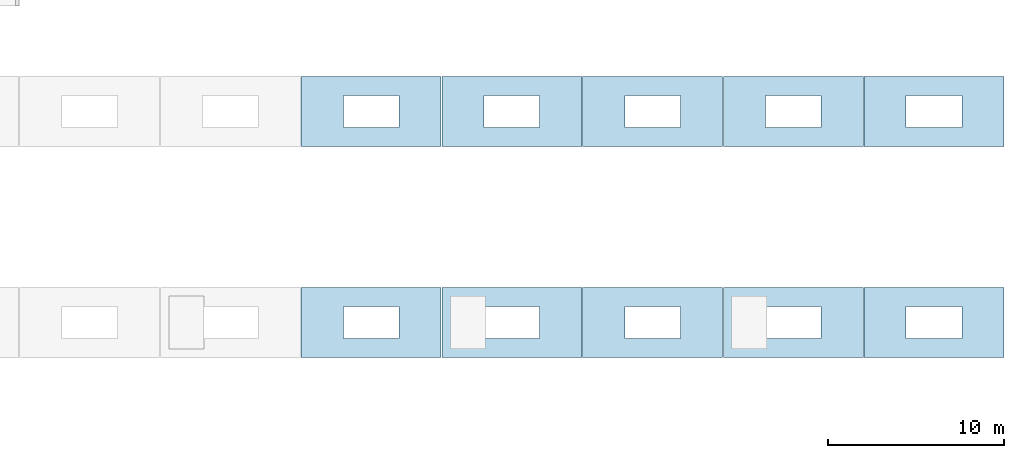
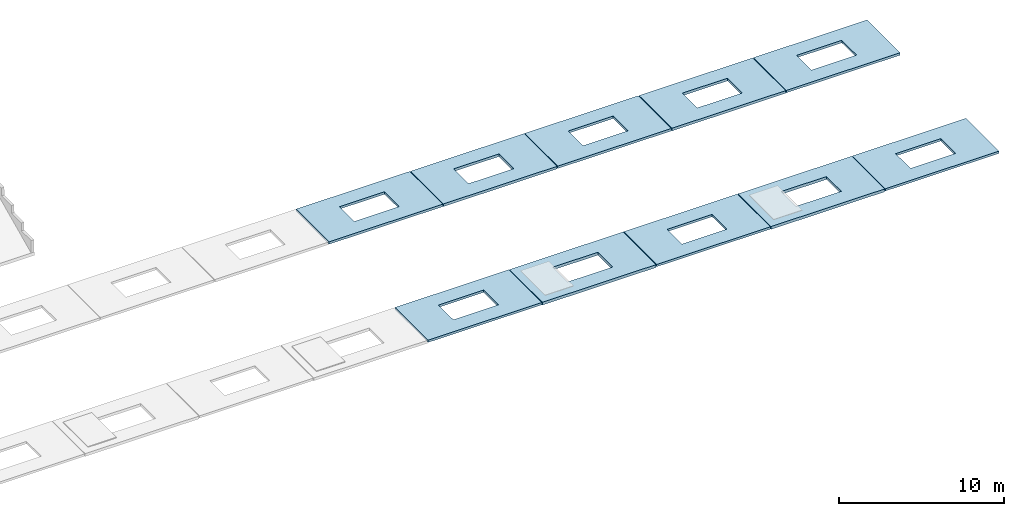
# One storey, part 4 of 9: 10 slabs.
"""IFC4 building model written with IfcOpenShell, lengths in metres."""

from ifc_helpers import new_model, si_unit, direction, frame, origin, place, context, subcontext, project, spatial, polyline, outline, extrude, material, layer, layer_set, type_object, element, save


model = new_model("IFC4")

# Units and contexts
model_context = context("Model", 3, precision=1e-05, world=origin(), true_north=direction((0.0, 1.0)))
body_context = subcontext(model_context, "Body", "Model", "MODEL_VIEW")
ifc_project = project(units=[si_unit("LENGTHUNIT", "METRE"), si_unit("AREAUNIT", "SQUARE_METRE"), si_unit("VOLUMEUNIT", "CUBIC_METRE"), si_unit("PLANEANGLEUNIT", "RADIAN"), si_unit("MASSUNIT", "GRAM", prefix="KILO")], contexts=[model_context])

# Site, building, storey
site_placement = place(None, origin())
site = spatial("IfcSite", under=ifc_project, at=site_placement, CompositionType="ELEMENT")
building_placement = place(site_placement, origin())
building = spatial("IfcBuilding", under=site, at=building_placement, Name="Serraluz Foothill Cableway Terminal", CompositionType="ELEMENT")
storey_placement = place(building_placement, frame((0.0, 0.0, 19.800048828125)))
storey = spatial("IfcBuildingStorey", under=building, at=storey_placement, Name="L04", CompositionType="ELEMENT", Elevation=19.800048828125)

# Slabs
ifc_material = material(Name="Precast concrete C40/50", Category="concrete")
ifc_layer_1 = layer(ifc_material, 0.169921875, Name="Precast concrete C40/50", Category="concrete")
ifc_layer_set_1 = layer_set([ifc_layer_1], Name="Precast concrete C40/50")
slab_type_1 = type_object("IfcSlabType", Name="TYP-SLB-ROOF-170", PredefinedType="ROOF", material=ifc_layer_set_1)
slab_1_placement = place(storey_placement, frame((0.0, 0.0, -0.170166015625)))
element("IfcSlab", 1, at=slab_1_placement, inside=storey, type_object=slab_type_1, Name="Precast Eaves Gallery Deck SLB-EAVE-19", PredefinedType="ROOF", context=body_context, shape_type="SweptSolid", body=[
    extrude(outline(polyline([(112.02001953125, 56.0), (119.97998046875, 56.0), (119.97998046875, 60.0), (112.02001953125, 60.0), (112.02001953125, 56.0)]), holes=[polyline([(114.419921875, 57.10009765625), (117.580078125, 57.10009765625), (117.580078125, 58.89990234375), (114.419921875, 58.89990234375), (114.419921875, 57.10009765625)])]), origin(), (0.0, 0.0, 1.0), 0.170166015625),
])
slab_2_placement = place(storey_placement, frame((0.0, 0.0, -0.170166015625)))
element("IfcSlab", 2, at=slab_2_placement, inside=storey, type_object=slab_type_1, Name="Precast Eaves Gallery Deck SLB-EAVE-23", PredefinedType="ROOF", context=body_context, shape_type="SweptSolid", body=[
    extrude(outline(polyline([(128.02001953125, 56.0), (135.97998046875, 56.0), (135.97998046875, 60.0), (128.02001953125, 60.0), (128.02001953125, 56.0)]), holes=[polyline([(130.419921875, 57.10009765625), (133.580078125, 57.10009765625), (133.580078125, 58.89990234375), (130.419921875, 58.89990234375), (130.419921875, 57.10009765625)])]), origin(), (0.0, 0.0, 1.0), 0.170166015625),
])
slab_3_placement = place(storey_placement, frame((0.0, 0.0, -0.170166015625)))
element("IfcSlab", 3, at=slab_3_placement, inside=storey, type_object=slab_type_1, Name="Precast Eaves Gallery Deck SLB-EAVE-27", PredefinedType="ROOF", context=body_context, shape_type="SweptSolid", body=[
    extrude(outline(polyline([(144.02001953125, 56.0), (151.97998046875, 56.0), (151.97998046875, 60.0), (144.02001953125, 60.0), (144.02001953125, 56.0)]), holes=[polyline([(146.419921875, 57.10009765625), (149.580078125, 57.10009765625), (149.580078125, 58.89990234375), (146.419921875, 58.89990234375), (146.419921875, 57.10009765625)])]), origin(), (0.0, 0.0, 1.0), 0.170166015625),
])
ifc_layer_2 = layer(ifc_material, 0.179931640625, Name="Precast concrete C40/50", Category="concrete")
ifc_layer_set_2 = layer_set([ifc_layer_2], Name="Precast concrete C40/50")
slab_type_2 = type_object("IfcSlabType", Name="TYP-SLB-ROOF-180", PredefinedType="ROOF", material=ifc_layer_set_2)
slab_4_placement = place(storey_placement, frame((0.0, 0.0, -0.179931640625)))
element("IfcSlab", 4, at=slab_4_placement, inside=storey, type_object=slab_type_2, Name="Precast Eaves Gallery Deck SLB-EAVE-20", PredefinedType="ROOF", context=body_context, shape_type="SweptSolid", body=[
    extrude(outline(polyline([(112.02001953125, 68.0), (119.97998046875, 68.0), (119.97998046875, 72.0), (112.02001953125, 72.0), (112.02001953125, 68.0)]), holes=[polyline([(114.419921875, 69.10009765625), (117.580078125, 69.10009765625), (117.580078125, 70.89990234375), (114.419921875, 70.89990234375), (114.419921875, 69.10009765625)])]), origin(), (0.0, 0.0, 1.0), 0.179931640625),
])
slab_5_placement = place(storey_placement, frame((0.0, 0.0, -0.179931640625)))
element("IfcSlab", 5, at=slab_5_placement, inside=storey, type_object=slab_type_2, Name="Precast Eaves Gallery Deck SLB-EAVE-24", PredefinedType="ROOF", context=body_context, shape_type="SweptSolid", body=[
    extrude(outline(polyline([(128.02001953125, 68.0), (135.97998046875, 68.0), (135.97998046875, 72.0), (128.02001953125, 72.0), (128.02001953125, 68.0)]), holes=[polyline([(130.419921875, 69.10009765625), (133.580078125, 69.10009765625), (133.580078125, 70.89990234375), (130.419921875, 70.89990234375), (130.419921875, 69.10009765625)])]), origin(), (0.0, 0.0, 1.0), 0.179931640625),
])
slab_6_placement = place(storey_placement, frame((0.0, 0.0, -0.179931640625)))
element("IfcSlab", 6, at=slab_6_placement, inside=storey, type_object=slab_type_2, Name="Precast Eaves Gallery Deck SLB-EAVE-28", PredefinedType="ROOF", context=body_context, shape_type="SweptSolid", body=[
    extrude(outline(polyline([(144.02001953125, 68.0), (151.97998046875, 68.0), (151.97998046875, 72.0), (144.02001953125, 72.0), (144.02001953125, 68.0)]), holes=[polyline([(146.419921875, 69.10009765625), (149.580078125, 69.10009765625), (149.580078125, 70.89990234375), (146.419921875, 70.89990234375), (146.419921875, 69.10009765625)])]), origin(), (0.0, 0.0, 1.0), 0.179931640625),
])
ifc_layer_3 = layer(ifc_material, 0.195068359375, Name="Precast concrete C40/50", Category="concrete")
ifc_layer_set_3 = layer_set([ifc_layer_3], Name="Precast concrete C40/50")
slab_type_3 = type_object("IfcSlabType", Name="TYP-SLB-ROOF-195", PredefinedType="ROOF", material=ifc_layer_set_3)
slab_7_placement = place(storey_placement, frame((0.0, 0.0, -0.195068359375)))
element("IfcSlab", 7, at=slab_7_placement, inside=storey, type_object=slab_type_3, Name="Precast Eaves Gallery Deck SLB-EAVE-22", PredefinedType="ROOF", context=body_context, shape_type="SweptSolid", body=[
    extrude(outline(polyline([(120.02001953125, 68.0), (127.97998046875, 68.0), (127.97998046875, 72.0), (120.02001953125, 72.0), (120.02001953125, 68.0)]), holes=[polyline([(122.419921875, 69.10009765625), (125.580078125, 69.10009765625), (125.580078125, 70.89990234375), (122.419921875, 70.89990234375), (122.419921875, 69.10009765625)])]), origin(), (0.0, 0.0, 1.0), 0.195068359375),
])
slab_8_placement = place(storey_placement, frame((0.0, 0.0, -0.195068359375)))
element("IfcSlab", 8, at=slab_8_placement, inside=storey, type_object=slab_type_3, Name="Precast Eaves Gallery Deck SLB-EAVE-26", PredefinedType="ROOF", context=body_context, shape_type="SweptSolid", body=[
    extrude(outline(polyline([(136.02001953125, 68.0), (143.97998046875, 68.0), (143.97998046875, 72.0), (136.02001953125, 72.0), (136.02001953125, 68.0)]), holes=[polyline([(138.419921875, 69.10009765625), (141.580078125, 69.10009765625), (141.580078125, 70.89990234375), (138.419921875, 70.89990234375), (138.419921875, 69.10009765625)])]), origin(), (0.0, 0.0, 1.0), 0.195068359375),
])
ifc_layer_4 = layer(ifc_material, 0.2099609375, Name="Precast concrete C40/50", Category="concrete")
ifc_layer_set_4 = layer_set([ifc_layer_4], Name="Precast concrete C40/50")
slab_type_4 = type_object("IfcSlabType", Name="TYP-SLB-ROOF-210", PredefinedType="ROOF", material=ifc_layer_set_4)
slab_9_placement = place(storey_placement, frame((0.0, 0.0, -0.2099609375)))
element("IfcSlab", 9, at=slab_9_placement, inside=storey, type_object=slab_type_4, Name="Precast Eaves Gallery Deck SLB-EAVE-21", PredefinedType="ROOF", context=body_context, shape_type="SweptSolid", body=[
    extrude(outline(polyline([(120.02001953125, 56.0), (127.97998046875, 56.0), (127.97998046875, 60.0), (120.02001953125, 60.0), (120.02001953125, 56.0)]), holes=[polyline([(122.419921875, 57.10009765625), (125.580078125, 57.10009765625), (125.580078125, 58.89990234375), (122.419921875, 58.89990234375), (122.419921875, 57.10009765625)])]), origin(), (0.0, 0.0, 1.0), 0.2099609375),
])
slab_10_placement = place(storey_placement, frame((0.0, 0.0, -0.2099609375)))
element("IfcSlab", 10, at=slab_10_placement, inside=storey, type_object=slab_type_4, Name="Precast Eaves Gallery Deck SLB-EAVE-25", PredefinedType="ROOF", context=body_context, shape_type="SweptSolid", body=[
    extrude(outline(polyline([(136.02001953125, 56.0), (143.97998046875, 56.0), (143.97998046875, 60.0), (136.02001953125, 60.0), (136.02001953125, 56.0)]), holes=[polyline([(138.419921875, 57.10009765625), (141.580078125, 57.10009765625), (141.580078125, 58.89990234375), (138.419921875, 58.89990234375), (138.419921875, 57.10009765625)])]), origin(), (0.0, 0.0, 1.0), 0.2099609375),
])

save(model, "model.ifc")
